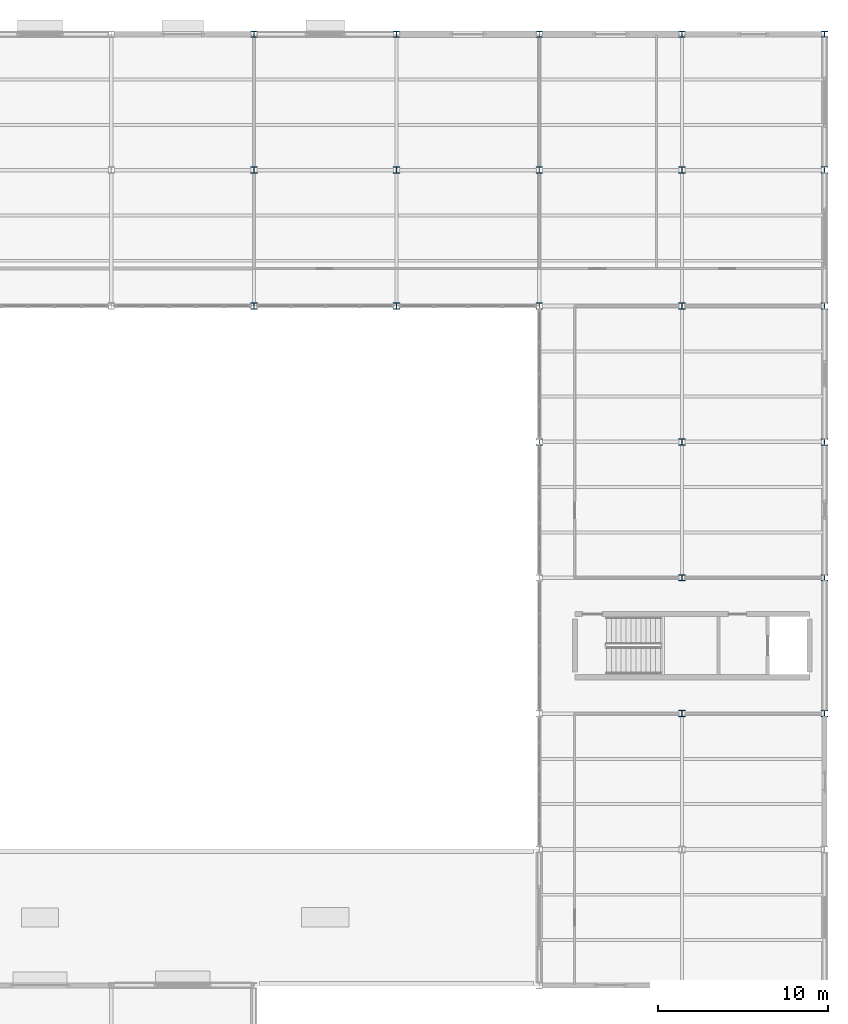
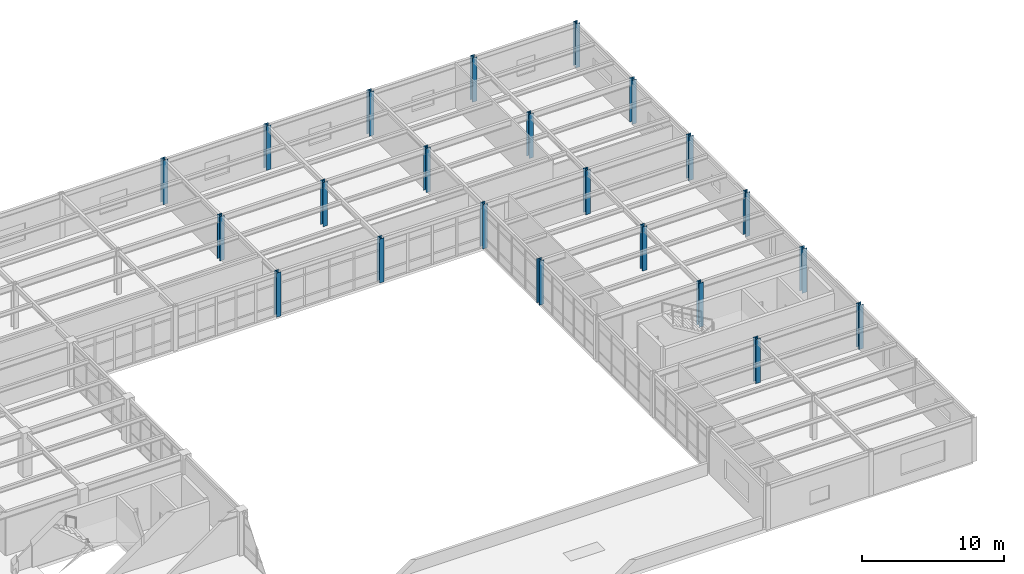
# One storey, part 17 of 138: 22 columns.
"""IFC4 building model written with IfcOpenShell, lengths in metres."""

from ifc_helpers import new_model, si_unit, direction, frame, origin, origin_2d, place, context, subcontext, project, spatial, i_section, extrude, material, material_profile, profile_set, type_object, element, save


model = new_model("IFC4")

# Units and contexts
model_context = context("Model", 3, precision=1e-05, world=origin(), true_north=direction((0.0, 1.0)))
body_context = subcontext(model_context, "Body", "Model", "MODEL_VIEW")
ifc_project = project(units=[si_unit("LENGTHUNIT", "METRE"), si_unit("AREAUNIT", "SQUARE_METRE"), si_unit("VOLUMEUNIT", "CUBIC_METRE"), si_unit("PLANEANGLEUNIT", "RADIAN"), si_unit("MASSUNIT", "GRAM", prefix="KILO")], contexts=[model_context])

# Site, building, storey
site_placement = place(None, origin())
site = spatial("IfcSite", under=ifc_project, at=site_placement, CompositionType="ELEMENT")
building_placement = place(site_placement, origin())
building = spatial("IfcBuilding", under=site, at=building_placement, Name="Kranzveld Transit Interchange", CompositionType="ELEMENT")
storey_placement = place(building_placement, frame((0.0, 0.0, 5.43994140625)))
storey = spatial("IfcBuildingStorey", under=building, at=storey_placement, Name="L01", CompositionType="ELEMENT", Elevation=5.43994140625)

# Columns
ifc_material = material(Name="Steel S355JR", Category="steel")
ifc_material_profile = material_profile(ifc_material, i_section(OverallWidth=0.374755859375, OverallDepth=0.37451171875, WebThickness=0.0166015625, FlangeThickness=0.027099609375, FilletRadius=0.01513671875, at=origin_2d()), Name="UC 356x368x202")
ifc_profile_set = profile_set([ifc_material_profile], Name="Steel S355JR")
column_type = type_object("IfcColumnType", Name="Column Steel UC 356x368x202 S355JR", PredefinedType="COLUMN", material=ifc_profile_set)
for number, where, z_axis, x_axis, name in (
    (1, (134.39990234375, 96.0, 0.0), (0.0, 0.0, 1.0), (1.0, 0.0, 0.0), "L01 Column 17/N"),
    (2, (134.39990234375, 104.0, 0.0), (0.0, 0.0, 1.0), (1.0, 0.0, 0.0), "L01 Column 17/P"),
    (3, (134.39990234375, 112.0, 0.0), (0.0, 0.0, 1.0), (1.0, 0.0, 0.0), "L01 Column 17/Q"),
    (4, (142.800048828125, 96.0, 0.0), (0.0, 0.0, 1.0), (1.0, 0.0, 0.0), "L01 Column 18/N"),
    (5, (142.800048828125, 104.0, 0.0), (0.0, 0.0, 1.0), (1.0, 0.0, 0.0), "L01 Column 18/P"),
    (6, (142.800048828125, 112.0, 0.0), (0.0, 0.0, 1.0), (1.0, 0.0, 0.0), "L01 Column 18/Q"),
    (7, (151.199951171875, 88.0, 0.0), (0.0, 0.0, 1.0), (1.0, 0.0, 0.0), "L01 Column 19/M"),
    (8, (151.199951171875, 96.0, 0.0), (0.0, 0.0, 1.0), (1.0, 0.0, 0.0), "L01 Column 19/N"),
    (9, (151.199951171875, 104.0, 0.0), (0.0, 0.0, 1.0), (1.0, 0.0, 0.0), "L01 Column 19/P"),
    (10, (151.199951171875, 112.0, 0.0), (0.0, 0.0, 1.0), (1.0, 0.0, 0.0), "L01 Column 19/Q"),
    (11, (159.60009765625, 72.0, 0.0), (0.0, 0.0, 1.0), (1.0, 0.0, 0.0), "L01 Column 20/K"),
    (12, (159.60009765625, 80.0, 0.0), (0.0, 0.0, 1.0), (1.0, 0.0, 0.0), "L01 Column 20/L"),
    (13, (159.60009765625, 88.0, 0.0), (0.0, 0.0, 1.0), (1.0, 0.0, 0.0), "L01 Column 20/M"),
    (14, (159.60009765625, 96.0, 0.0), (0.0, 0.0, 1.0), (1.0, 0.0, 0.0), "L01 Column 20/N"),
    (15, (159.60009765625, 104.0, 0.0), (0.0, 0.0, 1.0), (1.0, 0.0, 0.0), "L01 Column 20/P"),
    (16, (159.60009765625, 112.0, 0.0), (0.0, 0.0, 1.0), (1.0, 0.0, 0.0), "L01 Column 20/Q"),
    (17, (168.0, 72.0, 0.0), (0.0, 0.0, 1.0), (1.0, 0.0, 0.0), "L01 Column 21/K"),
    (18, (168.0, 80.0, 0.0), (0.0, 0.0, 1.0), (1.0, 0.0, 0.0), "L01 Column 21/L"),
    (19, (168.0, 88.0, 0.0), (0.0, 0.0, 1.0), (1.0, 0.0, 0.0), "L01 Column 21/M"),
    (20, (168.0, 96.0, 0.0), (0.0, 0.0, 1.0), (1.0, 0.0, 0.0), "L01 Column 21/N"),
    (21, (168.0, 104.0, 0.0), (0.0, 0.0, 1.0), (1.0, 0.0, 0.0), "L01 Column 21/P"),
    (22, (168.0, 112.0, 0.0), (0.0, 0.0, 1.0), (1.0, 0.0, 0.0), "L01 Column 21/Q"),
):
    element("IfcColumn", number, at=place(storey_placement, frame(where, z_axis=z_axis, x_axis=x_axis)), inside=storey, type_object=column_type, Name=name, PredefinedType="COLUMN", context=body_context, shape_type="SweptSolid", body=[
        extrude(i_section(OverallWidth=0.374755859375, OverallDepth=0.37451171875, WebThickness=0.0166015625, FlangeThickness=0.027099609375, FilletRadius=0.01513671875, at=origin_2d()), origin(), (0.0, 0.0, 1.0), 3.800048828125),
    ])

save(model, "model.ifc")
